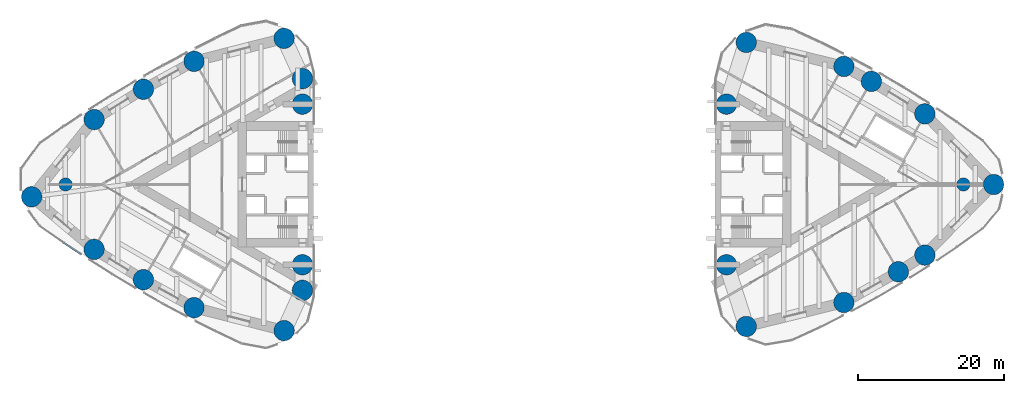
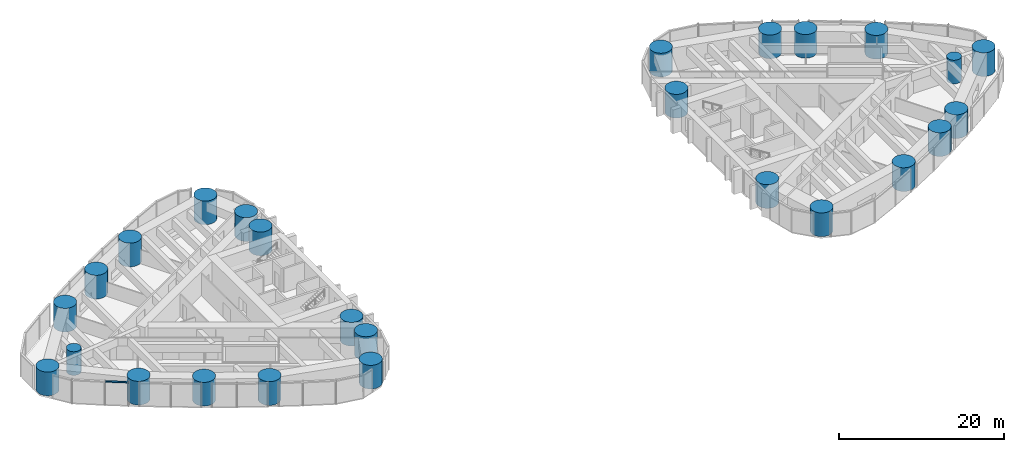
# One storey, part 1 of 17: 26 columns, 1 member, 1 element without a shape of its own.
"""IFC4 building model written with IfcOpenShell, lengths in metres."""

from ifc_helpers import new_model, si_unit, direction, frame, origin, origin_2d, place, context, subcontext, project, spatial, rectangle, circle, extrude, material, material_profile, profile_set, type_object, element, aggregate, save


model = new_model("IFC4")

# Units and contexts
model_context = context("Model", 3, precision=1e-05, world=origin(), true_north=direction((0.0, 1.0)))
body_context = subcontext(model_context, "Body", "Model", "MODEL_VIEW")
ifc_project = project(units=[si_unit("LENGTHUNIT", "METRE"), si_unit("AREAUNIT", "SQUARE_METRE"), si_unit("VOLUMEUNIT", "CUBIC_METRE"), si_unit("PLANEANGLEUNIT", "RADIAN"), si_unit("MASSUNIT", "GRAM", prefix="KILO")], contexts=[model_context])

# Site, building, storey
site_placement = place(None, origin())
site = spatial("IfcSite", under=ifc_project, at=site_placement, CompositionType="ELEMENT")
building_placement = place(site_placement, origin())
building = spatial("IfcBuilding", under=site, at=building_placement, Name="Lancet Gate Hotel", CompositionType="ELEMENT")
storey_placement = place(building_placement, frame((0.0, 0.0, 201.800048828125)))
storey = spatial("IfcBuildingStorey", under=building, at=storey_placement, Name="L54", CompositionType="ELEMENT", Elevation=201.800048828125)

# Columns
ifc_material_1 = material(Name="Concrete C60/75", Category="concrete")
ifc_material_profile_1 = material_profile(ifc_material_1, circle(Radius=0.89990234375, at=origin_2d()), Name="RC D1800")
ifc_profile_set_1 = profile_set([ifc_material_profile_1], Name="Concrete C60/75")
column_type_1 = type_object("IfcColumnType", Name="Apex column RC D1800", PredefinedType="COLUMN", material=ifc_profile_set_1)
for number, where, z_axis, x_axis, name in (
    (1, (-61.5, 0.0, 0.0), (0.0, 0.0, 1.0), (1.0, 0.0, 0.0), "T1 column AX L54"),
    (2, (61.5, 0.0, 0.0), (0.0, 0.0, 1.0), (1.0, 0.0, 0.0), "T2 column AX L54"),
):
    element("IfcColumn", number, at=place(storey_placement, frame(where, z_axis=z_axis, x_axis=x_axis)), inside=storey, type_object=column_type_1, Name=name, PredefinedType="COLUMN", context=body_context, shape_type="SweptSolid", body=[
        extrude(circle(Radius=0.89990234375, at=origin_2d()), origin(), (0.0, 0.0, 1.0), 3.5),
    ])
ifc_material_2 = material(Name="Concrete C60/75", Category="concrete")
ifc_material_profile_2 = material_profile(ifc_material_2, circle(Radius=1.39990234375, at=origin_2d()), Name="RC D2800")
ifc_profile_set_2 = profile_set([ifc_material_profile_2], Name="Concrete C60/75")
column_type_2 = type_object("IfcColumnType", Name="Perimeter column RC D2800", PredefinedType="COLUMN", material=ifc_profile_set_2)
for number, where, z_axis, x_axis, name in (
    (3, (-66.142578125, -1.6953125, 0.0), (0.0, 0.0, 1.0), (1.0, 0.0, 0.0), "T1 column CA L54"),
    (4, (-31.5654296875, -20.015869140625, 0.0), (0.0, 0.0, 1.0), (1.0, 0.0, 0.0), "T1 column CN L54"),
    (5, (-31.5654296875, 20.015869140625, 0.0), (0.0, 0.0, 1.0), (1.0, 0.0, 0.0), "T1 column CS L54"),
    (6, (-29.050048828125, -11.0, 0.0), (0.0, 0.0, 1.0), (1.0, 0.0, 0.0), "T1 column IN L54"),
    (7, (-29.050048828125, 11.0, 0.0), (0.0, 0.0, 1.0), (1.0, 0.0, 0.0), "T1 column IS L54"),
    (8, (-29.050048828125, 14.5, 0.0), (0.0, 0.0, 1.0), (1.0, 0.0, 0.0), "T1 column IT L54"),
    (9, (-29.050048828125, -14.5, 0.0), (0.0, 0.0, 1.0), (1.0, 0.0, 0.0), "T1 column JT L54"),
    (10, (-57.589599609375, -8.89306640625, 0.0), (0.0, 0.0, 1.0), (1.0, 0.0, 0.0), "T1 column ON1 L54"),
    (11, (-50.8388671875, -13.043212890625, 0.0), (0.0, 0.0, 1.0), (1.0, 0.0, 0.0), "T1 column ON2 L54"),
    (12, (-43.900390625, -16.871337890625, 0.0), (0.0, 0.0, 1.0), (1.0, 0.0, 0.0), "T1 column ON3 L54"),
    (13, (-43.900390625, 16.871337890625, 0.0), (0.0, 0.0, 1.0), (1.0, 0.0, 0.0), "T1 column OS1 L54"),
    (14, (-50.8388671875, 13.043212890625, 0.0), (0.0, 0.0, 1.0), (1.0, 0.0, 0.0), "T1 column OS2 L54"),
    (15, (-57.589599609375, 8.89306640625, 0.0), (0.0, 0.0, 1.0), (1.0, 0.0, 0.0), "T1 column OS3 L54"),
    (16, (65.6396484375, 0.0, 0.0), (0.0, 0.0, 1.0), (1.0, 0.0, 0.0), "T2 column CA L54"),
    (17, (31.759765625, 19.455810546875, 0.0), (0.0, 0.0, 1.0), (1.0, 0.0, 0.0), "T2 column CN L54"),
    (18, (31.759765625, -19.455810546875, 0.0), (0.0, 0.0, 1.0), (1.0, 0.0, 0.0), "T2 column CS L54"),
    (19, (29.050048828125, 11.0, 0.0), (0.0, 0.0, 1.0), (1.0, 0.0, 0.0), "T2 column IN L54"),
    (20, (29.050048828125, -11.0, 0.0), (0.0, 0.0, 1.0), (1.0, 0.0, 0.0), "T2 column IS L54"),
    (21, (56.220947265625, 9.67236328125, 0.0), (0.0, 0.0, 1.0), (1.0, 0.0, 0.0), "T2 column ON1 L54"),
    (22, (48.8974609375, 14.12060546875, 0.0), (0.0, 0.0, 1.0), (1.0, 0.0, 0.0), "T2 column ON2 L54"),
    (23, (45.133544921875, 16.16845703125, 0.0), (0.0, 0.0, 1.0), (1.0, 0.0, 0.0), "T2 column ON3 L54"),
    (24, (45.133544921875, -16.16845703125, 0.0), (0.0, 0.0, 1.0), (1.0, 0.0, 0.0), "T2 column OS1 L54"),
    (25, (52.594482421875, -11.95458984375, 0.0), (0.0, 0.0, 1.0), (1.0, 0.0, 0.0), "T2 column OS2 L54"),
    (26, (56.220947265625, -9.67236328125, 0.0), (0.0, 0.0, 1.0), (1.0, 0.0, 0.0), "T2 column OS3 L54"),
):
    element("IfcColumn", number, at=place(storey_placement, frame(where, z_axis=z_axis, x_axis=x_axis)), inside=storey, type_object=column_type_2, Name=name, PredefinedType="COLUMN", context=body_context, shape_type="SweptSolid", body=[
        extrude(circle(Radius=1.39990234375, at=origin_2d()), origin(), (0.0, 0.0, 1.0), 3.5),
    ])

# Curtain wall, member
ifc_material_3 = material(Name="Aluminium curtain wall", Category="aluminium")
curtain_wall_type = type_object("IfcCurtainWallType", Name="Tower unitised curtain wall", PredefinedType="USERDEFINED", material=ifc_material_3)
curtain_wall_placement = place(storey_placement, origin())
curtain_wall = element("IfcCurtainWall", 27, at=curtain_wall_placement, inside=storey, type_object=curtain_wall_type, Name="T1 L54 curtain wall 6", ObjectType="UNITISED CURTAIN WALL", PredefinedType="USERDEFINED")
ifc_material_4 = material(Name="Aluminium transom", Category="aluminium")
ifc_material_profile_3 = material_profile(ifc_material_4, rectangle(XDim=0.25, YDim=0.14990234375, at=origin_2d()), Name="TRANSOM 250x150")
ifc_profile_set_3 = profile_set([ifc_material_profile_3], Name="Aluminium transom")
member_type = type_object("IfcMemberType", Name="Aluminium transom 250x150", PredefinedType="USERDEFINED", material=ifc_profile_set_3)
member_placement = place(storey_placement, frame((-61.735595703125, -7.998779296875, 3.425048828125), z_axis=(0.83286340622, -0.553478587283, 0.0), x_axis=(0.553478587283, 0.83286340622, 0.0)))
member = element("IfcMember", 28, at=member_placement, type_object=member_type, Name="T1 L54 curtain wall 6 transom 3", ObjectType="TRANSOM", PredefinedType="USERDEFINED", context=body_context, shape_type="SweptSolid", body=[
    extrude(rectangle(XDim=0.25, YDim=0.14990234375, at=origin_2d()), origin(), (0.0, 0.0, 1.0), 2.814697265625),
])
aggregate(curtain_wall, [member])

save(model, "model.ifc")
